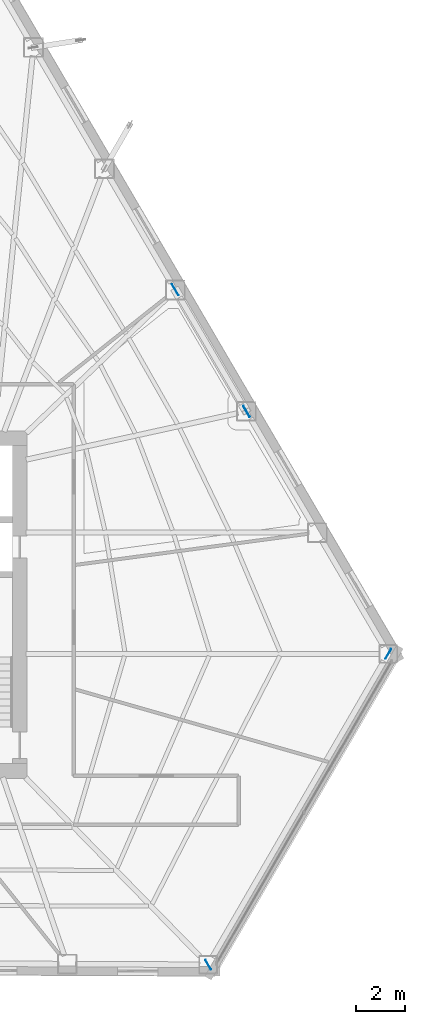
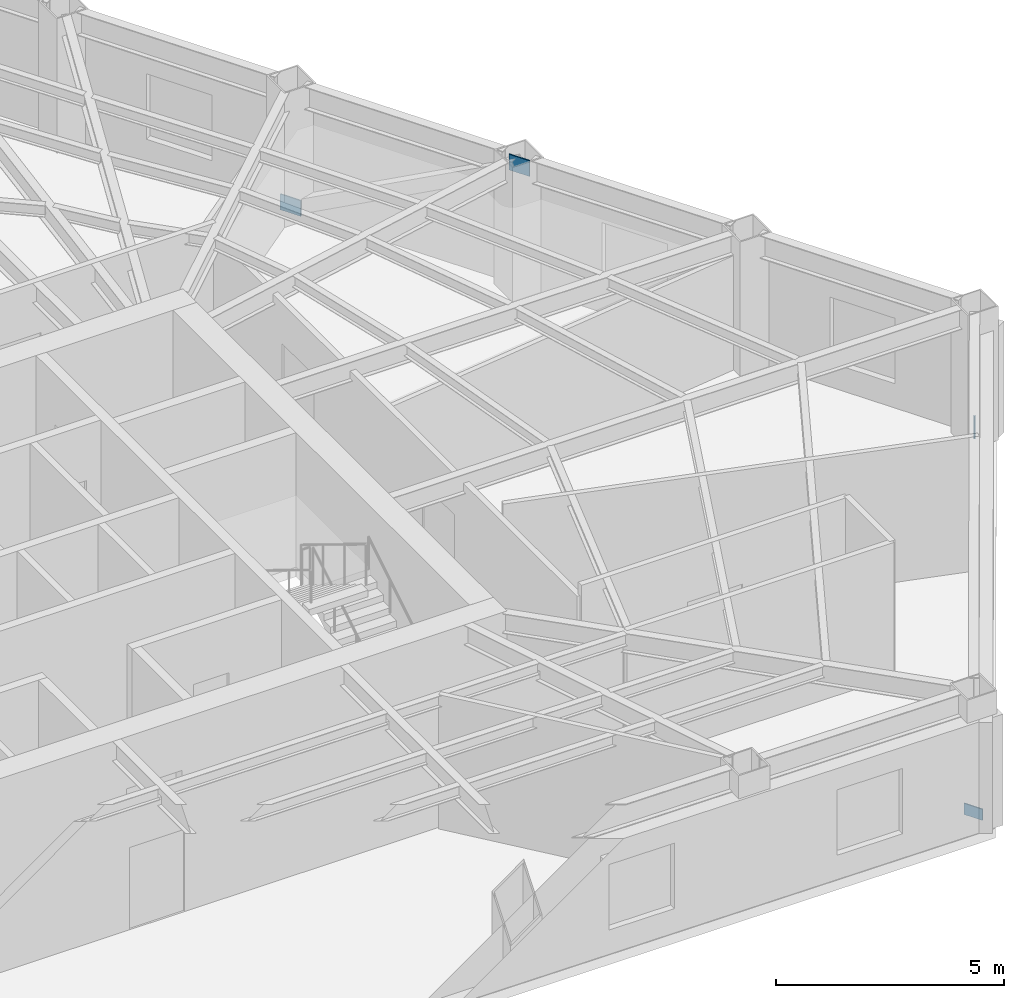
# One storey, part 7 of 14: 4 plates.
"""IFC4 building model written with IfcOpenShell, lengths in metres."""

import ifcopenshell
import ifcopenshell.guid

model = None  # the IFC model being written
_history = None  # IfcOwnerHistory: only IFC2X3 demands one
_inside = {}  # id of a spatial element -> (the spatial element, [elements in it])
_under = {}  # id of a project, library or spatial element -> (it, [spatial elements below it])
_declared = {}  # id of a project -> (the project, [libraries it declares])
_typed = {}  # id of a type object -> (the type object, [elements of that type])
_made_of = {}  # id of a material, layer set ... -> (it, [elements and type objects made of it])


def new_model(schema):
    """Start an empty IFC model of exactly this schema.

    Asked for "IFC4X3", IfcOpenShell would pick the latest addendum, in which some entities
    have other attributes; the version numbers below select the first issue.
    IFC2X3 requires an IfcOwnerHistory on every rooted entity: one is made here for all.
    """
    global model, _history
    if schema == "IFC4X3":
        model = ifcopenshell.file(schema_version=(4, 3, 0, 0))
    else:
        model = ifcopenshell.file(schema=schema)
    _inside.clear()
    _under.clear()
    _declared.clear()
    _typed.clear()
    _made_of.clear()
    _history = None
    if model.schema == "IFC2X3":
        org = make("IfcOrganization", Name="unknown")
        user = make(
            "IfcPersonAndOrganization",
            ThePerson=make("IfcPerson", FamilyName="unknown"),
            TheOrganization=org,
        )
        app = make(
            "IfcApplication",
            ApplicationDeveloper=org,
            Version="unknown",
            ApplicationFullName="unknown",
            ApplicationIdentifier="unknown",
        )
        _history = make(
            "IfcOwnerHistory",
            OwningUser=user,
            OwningApplication=app,
            ChangeAction="ADDED",
            CreationDate=0,
        )
    return model


def make(cls, **values):
    """One entity of the class cls with the attributes given. An attribute that is None is left unset."""
    return model.create_entity(
        cls, **{name: value for name, value in values.items() if value is not None}
    )


def rooted(cls, **values):
    """An entity with a GlobalId (a new one), such as an element, a storey or a relation."""
    return make(cls, GlobalId=ifcopenshell.guid.new(), OwnerHistory=_history, **values)


def si_unit(unit_type, name, prefix=None):
    """IfcSIUnit, for example si_unit("LENGTHUNIT", "METRE", prefix="MILLI")."""
    return make("IfcSIUnit", UnitType=unit_type, Prefix=prefix, Name=name)


def assignment(units):
    """IfcUnitAssignment: the units of a project."""
    return None if units is None else make("IfcUnitAssignment", Units=units)


def point(xyz):
    """IfcCartesianPoint."""
    return None if xyz is None else make("IfcCartesianPoint", Coordinates=xyz)


def direction(xyz):
    """IfcDirection."""
    return None if xyz is None else make("IfcDirection", DirectionRatios=xyz)


def frame(location, z_axis=None, x_axis=None):
    """IfcAxis2Placement3D, a coordinate frame: its origin and axes. An axis left out is left unset."""
    return make(
        "IfcAxis2Placement3D",
        Location=point(location),
        Axis=direction(z_axis),
        RefDirection=direction(x_axis),
    )


def frame_2d(location, x_axis=None):
    """IfcAxis2Placement2D, a coordinate frame in the plane: its origin and x axis."""
    return make(
        "IfcAxis2Placement2D", Location=point(location), RefDirection=direction(x_axis)
    )


def origin():
    """The frame at (0, 0, 0) with its axes left unset."""
    return frame((0.0, 0.0, 0.0))


def origin_2d():
    """The frame at (0, 0) in the plane with its x axis left unset."""
    return frame_2d((0.0, 0.0))


def place(relative_to, where):
    """IfcLocalPlacement: puts the frame where relative to a parent placement (None: the world)."""
    return make(
        "IfcLocalPlacement", PlacementRelTo=relative_to, RelativePlacement=where
    )


def context(
    kind, dimensions, precision=None, world=None, true_north=None, identifier=None
):
    """IfcGeometricRepresentationContext, for example the 3D "Model" context."""
    return make(
        "IfcGeometricRepresentationContext",
        ContextIdentifier=identifier,
        ContextType=kind,
        CoordinateSpaceDimension=dimensions,
        Precision=precision,
        WorldCoordinateSystem=world,
        TrueNorth=true_north,
    )


def subcontext(parent, identifier, kind, view, scale=None):
    """IfcGeometricRepresentationSubContext, for example "Body" below "Model"."""
    return make(
        "IfcGeometricRepresentationSubContext",
        ContextIdentifier=identifier,
        ContextType=kind,
        ParentContext=parent,
        TargetScale=scale,
        TargetView=view,
    )


def project(units=None, contexts=None):
    """IfcProject with its units and contexts."""
    return rooted(
        "IfcProject",
        Name="project",
        RepresentationContexts=contexts,
        UnitsInContext=assignment(units),
    )


def spatial(cls, under=None, at=None, **own):
    """A site, building, storey or space (cls), placed at a placement, below another one or the project."""
    s = rooted(cls, ObjectPlacement=at, **own)
    if under is not None:
        _under.setdefault(under.id(), (under, []))[1].append(s)
    return s


def profile(cls, at=None, kind="AREA", **sizes):
    """A parametric profile (cls). Its sizes go by their IFC names, for example OverallWidth=200.0."""
    return make(cls, ProfileType=kind, Position=at, **sizes)


def rectangle(**sizes):
    """IfcRectangleProfileDef."""
    return profile("IfcRectangleProfileDef", **sizes)


def extrude(swept, where, along, depth):
    """IfcExtrudedAreaSolid: the profile swept, set in the frame where, extruded along a direction by depth."""
    return make(
        "IfcExtrudedAreaSolid",
        SweptArea=swept,
        Position=where,
        ExtrudedDirection=direction(along),
        Depth=depth,
    )


def shape(context_of_items, identifier, shape_type, items):
    """IfcShapeRepresentation: the items that make up one representation, for example the "Body"."""
    return make(
        "IfcShapeRepresentation",
        ContextOfItems=context_of_items,
        RepresentationIdentifier=identifier,
        RepresentationType=shape_type,
        Items=items,
    )


def material(Name=None, Category=None):
    """IfcMaterial."""
    return make("IfcMaterial", Name=Name, Category=Category)


def layer(
    of_material, thickness, ventilated=None, Name=None, Category=None, Priority=None
):
    """IfcMaterialLayer: one layer of a wall or slab, of a material (None: an air gap)."""
    return make(
        "IfcMaterialLayer",
        Material=of_material,
        LayerThickness=thickness,
        IsVentilated=ventilated,
        Name=Name,
        Category=Category,
        Priority=Priority,
    )


def layer_set(layers, Name=None):
    """IfcMaterialLayerSet."""
    return make("IfcMaterialLayerSet", MaterialLayers=layers, LayerSetName=Name)


def made_of(thing, what):
    """Note that an element or type object is made of a material, layer set ...; save() writes the relation."""
    if what is not None:
        _made_of.setdefault(what.id(), (what, []))[1].append(thing)
    return thing


def type_object(cls, material=None, **own):
    """A type object (cls), such as IfcWallType, which elements share."""
    return made_of(rooted(cls, **own), material)


def element(
    cls,
    number,
    at=None,
    inside=None,
    cuts=None,
    type_object=None,
    material=None,
    context=None,
    identifier="Body",
    shape_type=None,
    held_by="IfcProductDefinitionShape",
    body=None,
    shapes=None,
    **own,
):
    """One element of the class cls, such as IfcWall. Its Tag is "e" and its number.

    at: its placement. inside: the storey or other place that contains it. cuts: it is an
    opening in that element (IfcRelVoidsElement). A single representation is given by context,
    identifier, shape_type and body (its items); several are given by shapes. held_by: the class
    of the entity that holds the representations. save() writes the other relations.
    """
    e = rooted(cls, Tag="e%d" % number, ObjectPlacement=at, **own)
    if body is not None:
        shapes = [shape(context, identifier, shape_type, body)]
    if shapes is not None:
        e.Representation = make(held_by, Representations=shapes)
    if inside is not None:
        _inside.setdefault(inside.id(), (inside, []))[1].append(e)
    if cuts is not None:
        rooted(
            "IfcRelVoidsElement", RelatingBuildingElement=cuts, RelatedOpeningElement=e
        )
    if type_object is not None:
        _typed.setdefault(type_object.id(), (type_object, []))[1].append(e)
    return made_of(e, material)


def aggregate(whole, parts):
    """IfcRelAggregates: a whole, such as a stair, and the parts it consists of."""
    return rooted("IfcRelAggregates", RelatingObject=whole, RelatedObjects=parts)


def save(model, path):
    """Write the relations noted so far, then the file.

    IfcRelAggregates (storeys below a building ...), IfcRelContainedInSpatialStructure (elements
    in a storey), IfcRelDefinesByType, IfcRelAssociatesMaterial and IfcRelDeclares: one each for
    every whole, place, type object, material and project.
    """
    for whole, parts in _under.values():
        aggregate(whole, parts)
    for where, things in _inside.values():
        rooted(
            "IfcRelContainedInSpatialStructure",
            RelatedElements=things,
            RelatingStructure=where,
        )
    for kind, things in _typed.values():
        rooted("IfcRelDefinesByType", RelatedObjects=things, RelatingType=kind)
    for what, things in _made_of.values():
        rooted("IfcRelAssociatesMaterial", RelatedObjects=things, RelatingMaterial=what)
    for by, libraries in _declared.values():
        rooted("IfcRelDeclares", RelatingContext=by, RelatedDefinitions=libraries)
    model.write(path)


model = new_model("IFC4")

# Units and contexts
model_context = context("Model", 3, precision=1e-05, world=origin(), true_north=direction((0.0, 1.0)))
body_context = subcontext(model_context, "Body", "Model", "MODEL_VIEW")
ifc_project = project(units=[si_unit("LENGTHUNIT", "METRE"), si_unit("AREAUNIT", "SQUARE_METRE"), si_unit("VOLUMEUNIT", "CUBIC_METRE"), si_unit("PLANEANGLEUNIT", "RADIAN"), si_unit("MASSUNIT", "GRAM", prefix="KILO")], contexts=[model_context])

# Site, building, storey
site_placement = place(None, origin())
site = spatial("IfcSite", under=ifc_project, at=site_placement, CompositionType="ELEMENT")
building_placement = place(site_placement, origin())
building = spatial("IfcBuilding", under=site, at=building_placement, Name="Kavelnor Concourse Tower", CompositionType="ELEMENT")
storey_placement = place(building_placement, frame((0.0, 0.0, 52.199951171875)))
storey = spatial("IfcBuildingStorey", under=building, at=storey_placement, Name="L13", CompositionType="ELEMENT", Elevation=52.199951171875)

# Plates
ifc_material = material(Name="Steel Grade 350", Category="steel")
ifc_layer_1 = layer(ifc_material, 0.028076171875, Name="Steel Grade 350")
ifc_layer_set_1 = layer_set([ifc_layer_1], Name="Steel Grade 350")
plate_type_1 = type_object("IfcPlateType", Name="PL-GUSSET-FOLD", PredefinedType="USERDEFINED", material=ifc_layer_set_1)
for number, where, z_axis, x_axis, name in (
    (1, (55.5205078125, 1.38232421875, 0.10009765625), (0.0, 0.0, 1.0), (-0.5, 0.866025403784, 0.0), "L13 Herringbone Corner-Fold Kink Gusset Plate F1-B6"),
    (2, (62.8828125, 14.08740234375, 0.10009765625), (0.0, 0.0, 1.0), (-0.5, -0.866025403784, 0.0), "L13 Herringbone Corner-Fold Kink Gusset Plate F2-B0"),
):
    element("IfcPlate", number, at=place(storey_placement, frame(where, z_axis=z_axis, x_axis=x_axis)), inside=storey, type_object=plate_type_1, Name=name, ObjectType="GUSSET_PLATE", PredefinedType="USERDEFINED", context=body_context, shape_type="SweptSolid", body=[
        extrude(rectangle(XDim=0.4599609375, YDim=0.028076171875, at=origin_2d()), origin(), (0.0, 0.0, 1.0), 0.300048828125),
    ])
ifc_layer_2 = layer(ifc_material, 0.031982421875, Name="Steel Grade 350")
ifc_layer_set_2 = layer_set([ifc_layer_2], Name="Steel Grade 350")
plate_type_2 = type_object("IfcPlateType", Name="PL-GUSSET-TUBE-Z1", PredefinedType="USERDEFINED", material=ifc_layer_set_2)
for number, where, z_axis, x_axis, name in (
    (3, (54.17578125, 28.96484375, 0.010009765625), (0.0, 0.0, 1.0), (0.50513026462, -0.863043113503, 0.0), "L13 Tube Brace Gusset GP3 F2-B2 End Gusset A"),
    (4, (57.08837890625, 23.98828125, 3.073974609375), (0.0, 0.0, 1.0), (0.50513026462, -0.863043113503, 0.0), "L13 Tube Brace Gusset GP3 F2-B2 End Gusset B"),
):
    element("IfcPlate", number, at=place(storey_placement, frame(where, z_axis=z_axis, x_axis=x_axis)), inside=storey, type_object=plate_type_2, Name=name, ObjectType="GUSSET_PLATE", PredefinedType="USERDEFINED", context=body_context, shape_type="SweptSolid", body=[
        extrude(rectangle(XDim=0.52001953125, YDim=0.031982421875, at=origin_2d()), origin(), (0.0, 0.0, 1.0), 0.419921875),
    ])

save(model, "model.ifc")
